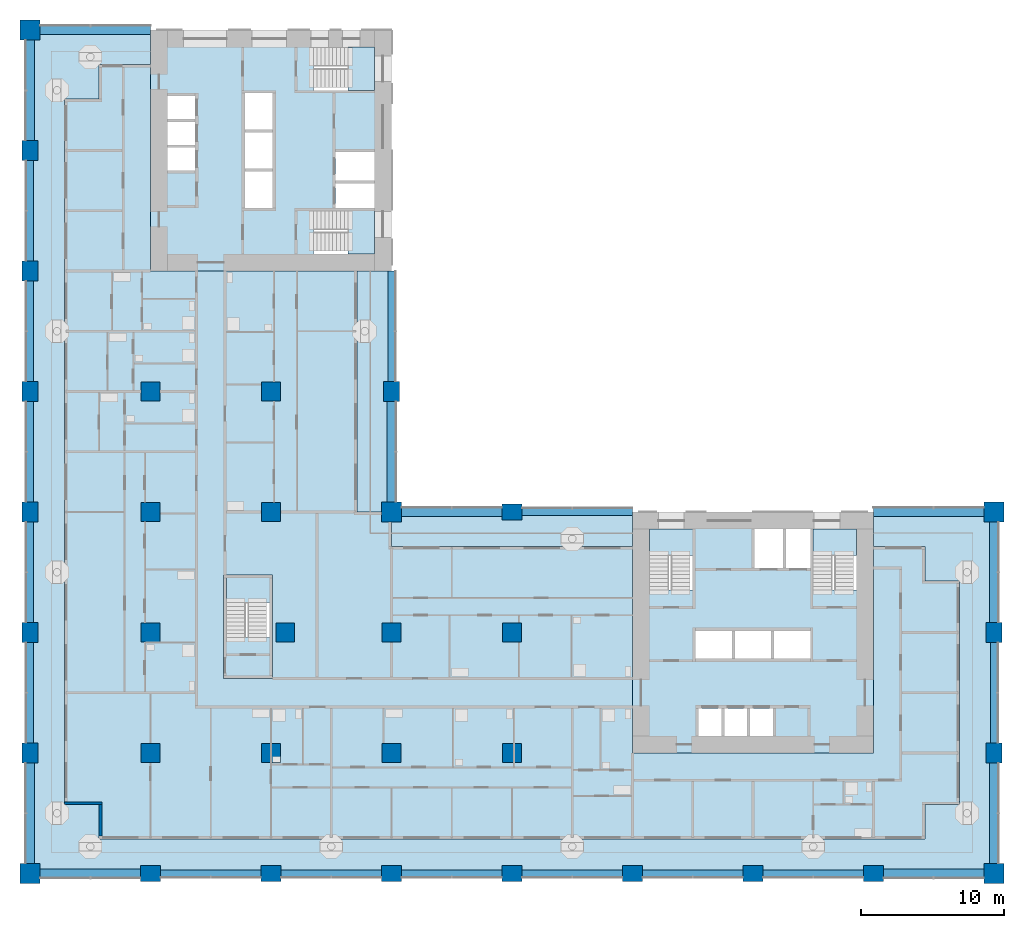
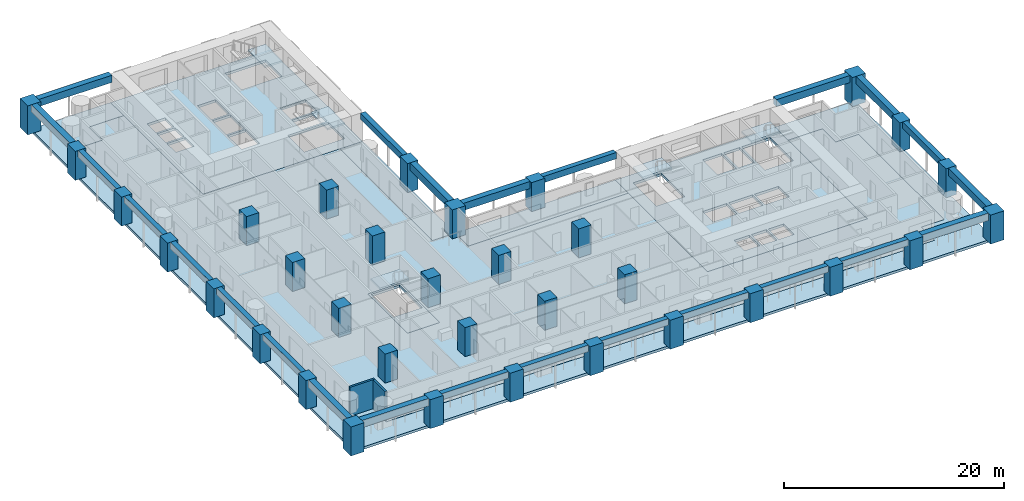
# One storey, part 1 of 19: 34 columns, 24 beams, 12 slabs, 2 walls, 5 elements without a shape of their own.
"""IFC4 building model written with IfcOpenShell, lengths in metres."""

import ifcopenshell
import ifcopenshell.guid

model = None  # the IFC model being written
_history = None  # IfcOwnerHistory: only IFC2X3 demands one
_inside = {}  # id of a spatial element -> (the spatial element, [elements in it])
_under = {}  # id of a project, library or spatial element -> (it, [spatial elements below it])
_declared = {}  # id of a project -> (the project, [libraries it declares])
_typed = {}  # id of a type object -> (the type object, [elements of that type])
_made_of = {}  # id of a material, layer set ... -> (it, [elements and type objects made of it])


def new_model(schema):
    """Start an empty IFC model of exactly this schema.

    Asked for "IFC4X3", IfcOpenShell would pick the latest addendum, in which some entities
    have other attributes; the version numbers below select the first issue.
    IFC2X3 requires an IfcOwnerHistory on every rooted entity: one is made here for all.
    """
    global model, _history
    if schema == "IFC4X3":
        model = ifcopenshell.file(schema_version=(4, 3, 0, 0))
    else:
        model = ifcopenshell.file(schema=schema)
    _inside.clear()
    _under.clear()
    _declared.clear()
    _typed.clear()
    _made_of.clear()
    _history = None
    if model.schema == "IFC2X3":
        org = make("IfcOrganization", Name="unknown")
        user = make(
            "IfcPersonAndOrganization",
            ThePerson=make("IfcPerson", FamilyName="unknown"),
            TheOrganization=org,
        )
        app = make(
            "IfcApplication",
            ApplicationDeveloper=org,
            Version="unknown",
            ApplicationFullName="unknown",
            ApplicationIdentifier="unknown",
        )
        _history = make(
            "IfcOwnerHistory",
            OwningUser=user,
            OwningApplication=app,
            ChangeAction="ADDED",
            CreationDate=0,
        )
    return model


def make(cls, **values):
    """One entity of the class cls with the attributes given. An attribute that is None is left unset."""
    return model.create_entity(
        cls, **{name: value for name, value in values.items() if value is not None}
    )


def rooted(cls, **values):
    """An entity with a GlobalId (a new one), such as an element, a storey or a relation."""
    return make(cls, GlobalId=ifcopenshell.guid.new(), OwnerHistory=_history, **values)


def si_unit(unit_type, name, prefix=None):
    """IfcSIUnit, for example si_unit("LENGTHUNIT", "METRE", prefix="MILLI")."""
    return make("IfcSIUnit", UnitType=unit_type, Prefix=prefix, Name=name)


def assignment(units):
    """IfcUnitAssignment: the units of a project."""
    return None if units is None else make("IfcUnitAssignment", Units=units)


def point(xyz):
    """IfcCartesianPoint."""
    return None if xyz is None else make("IfcCartesianPoint", Coordinates=xyz)


def direction(xyz):
    """IfcDirection."""
    return None if xyz is None else make("IfcDirection", DirectionRatios=xyz)


def frame(location, z_axis=None, x_axis=None):
    """IfcAxis2Placement3D, a coordinate frame: its origin and axes. An axis left out is left unset."""
    return make(
        "IfcAxis2Placement3D",
        Location=point(location),
        Axis=direction(z_axis),
        RefDirection=direction(x_axis),
    )


def frame_2d(location, x_axis=None):
    """IfcAxis2Placement2D, a coordinate frame in the plane: its origin and x axis."""
    return make(
        "IfcAxis2Placement2D", Location=point(location), RefDirection=direction(x_axis)
    )


def origin():
    """The frame at (0, 0, 0) with its axes left unset."""
    return frame((0.0, 0.0, 0.0))


def origin_2d():
    """The frame at (0, 0) in the plane with its x axis left unset."""
    return frame_2d((0.0, 0.0))


def place(relative_to, where):
    """IfcLocalPlacement: puts the frame where relative to a parent placement (None: the world)."""
    return make(
        "IfcLocalPlacement", PlacementRelTo=relative_to, RelativePlacement=where
    )


def context(
    kind, dimensions, precision=None, world=None, true_north=None, identifier=None
):
    """IfcGeometricRepresentationContext, for example the 3D "Model" context."""
    return make(
        "IfcGeometricRepresentationContext",
        ContextIdentifier=identifier,
        ContextType=kind,
        CoordinateSpaceDimension=dimensions,
        Precision=precision,
        WorldCoordinateSystem=world,
        TrueNorth=true_north,
    )


def subcontext(parent, identifier, kind, view, scale=None):
    """IfcGeometricRepresentationSubContext, for example "Body" below "Model"."""
    return make(
        "IfcGeometricRepresentationSubContext",
        ContextIdentifier=identifier,
        ContextType=kind,
        ParentContext=parent,
        TargetScale=scale,
        TargetView=view,
    )


def project(units=None, contexts=None):
    """IfcProject with its units and contexts."""
    return rooted(
        "IfcProject",
        Name="project",
        RepresentationContexts=contexts,
        UnitsInContext=assignment(units),
    )


def spatial(cls, under=None, at=None, **own):
    """A site, building, storey or space (cls), placed at a placement, below another one or the project."""
    s = rooted(cls, ObjectPlacement=at, **own)
    if under is not None:
        _under.setdefault(under.id(), (under, []))[1].append(s)
    return s


def polyline(points):
    """IfcPolyline through the points."""
    return make("IfcPolyline", Points=[point(p) for p in points])


def profile(cls, at=None, kind="AREA", **sizes):
    """A parametric profile (cls). Its sizes go by their IFC names, for example OverallWidth=200.0."""
    return make(cls, ProfileType=kind, Position=at, **sizes)


def rectangle(**sizes):
    """IfcRectangleProfileDef."""
    return profile("IfcRectangleProfileDef", **sizes)


def outline(outer, holes=None, kind="AREA"):
    """IfcArbitraryClosedProfileDef: a profile drawn as a closed curve; with holes, ...WithVoids."""
    if holes is None:
        return make("IfcArbitraryClosedProfileDef", ProfileType=kind, OuterCurve=outer)
    return make(
        "IfcArbitraryProfileDefWithVoids",
        ProfileType=kind,
        OuterCurve=outer,
        InnerCurves=holes,
    )


def extrude(swept, where, along, depth):
    """IfcExtrudedAreaSolid: the profile swept, set in the frame where, extruded along a direction by depth."""
    return make(
        "IfcExtrudedAreaSolid",
        SweptArea=swept,
        Position=where,
        ExtrudedDirection=direction(along),
        Depth=depth,
    )


def shape(context_of_items, identifier, shape_type, items):
    """IfcShapeRepresentation: the items that make up one representation, for example the "Body"."""
    return make(
        "IfcShapeRepresentation",
        ContextOfItems=context_of_items,
        RepresentationIdentifier=identifier,
        RepresentationType=shape_type,
        Items=items,
    )


def material(Name=None, Category=None):
    """IfcMaterial."""
    return make("IfcMaterial", Name=Name, Category=Category)


def layer(
    of_material, thickness, ventilated=None, Name=None, Category=None, Priority=None
):
    """IfcMaterialLayer: one layer of a wall or slab, of a material (None: an air gap)."""
    return make(
        "IfcMaterialLayer",
        Material=of_material,
        LayerThickness=thickness,
        IsVentilated=ventilated,
        Name=Name,
        Category=Category,
        Priority=Priority,
    )


def layer_set(layers, Name=None):
    """IfcMaterialLayerSet."""
    return make("IfcMaterialLayerSet", MaterialLayers=layers, LayerSetName=Name)


def material_profile(
    of_material, cross_section, Name=None, Category=None, Priority=None
):
    """IfcMaterialProfile: a cross section and its material."""
    return make(
        "IfcMaterialProfile",
        Name=Name,
        Material=of_material,
        Profile=cross_section,
        Priority=Priority,
        Category=Category,
    )


def profile_set(profiles, Name=None, composite=None):
    """IfcMaterialProfileSet."""
    return make(
        "IfcMaterialProfileSet",
        Name=Name,
        MaterialProfiles=profiles,
        CompositeProfile=composite,
    )


def made_of(thing, what):
    """Note that an element or type object is made of a material, layer set ...; save() writes the relation."""
    if what is not None:
        _made_of.setdefault(what.id(), (what, []))[1].append(thing)
    return thing


def type_object(cls, material=None, **own):
    """A type object (cls), such as IfcWallType, which elements share."""
    return made_of(rooted(cls, **own), material)


def element(
    cls,
    number,
    at=None,
    inside=None,
    cuts=None,
    type_object=None,
    material=None,
    context=None,
    identifier="Body",
    shape_type=None,
    held_by="IfcProductDefinitionShape",
    body=None,
    shapes=None,
    **own,
):
    """One element of the class cls, such as IfcWall. Its Tag is "e" and its number.

    at: its placement. inside: the storey or other place that contains it. cuts: it is an
    opening in that element (IfcRelVoidsElement). A single representation is given by context,
    identifier, shape_type and body (its items); several are given by shapes. held_by: the class
    of the entity that holds the representations. save() writes the other relations.
    """
    e = rooted(cls, Tag="e%d" % number, ObjectPlacement=at, **own)
    if body is not None:
        shapes = [shape(context, identifier, shape_type, body)]
    if shapes is not None:
        e.Representation = make(held_by, Representations=shapes)
    if inside is not None:
        _inside.setdefault(inside.id(), (inside, []))[1].append(e)
    if cuts is not None:
        rooted(
            "IfcRelVoidsElement", RelatingBuildingElement=cuts, RelatedOpeningElement=e
        )
    if type_object is not None:
        _typed.setdefault(type_object.id(), (type_object, []))[1].append(e)
    return made_of(e, material)


def aggregate(whole, parts):
    """IfcRelAggregates: a whole, such as a stair, and the parts it consists of."""
    return rooted("IfcRelAggregates", RelatingObject=whole, RelatedObjects=parts)


def save(model, path):
    """Write the relations noted so far, then the file.

    IfcRelAggregates (storeys below a building ...), IfcRelContainedInSpatialStructure (elements
    in a storey), IfcRelDefinesByType, IfcRelAssociatesMaterial and IfcRelDeclares: one each for
    every whole, place, type object, material and project.
    """
    for whole, parts in _under.values():
        aggregate(whole, parts)
    for where, things in _inside.values():
        rooted(
            "IfcRelContainedInSpatialStructure",
            RelatedElements=things,
            RelatingStructure=where,
        )
    for kind, things in _typed.values():
        rooted("IfcRelDefinesByType", RelatedObjects=things, RelatingType=kind)
    for what, things in _made_of.values():
        rooted("IfcRelAssociatesMaterial", RelatedObjects=things, RelatingMaterial=what)
    for by, libraries in _declared.values():
        rooted("IfcRelDeclares", RelatingContext=by, RelatedDefinitions=libraries)
    model.write(path)


model = new_model("IFC4")

# Units and contexts
model_context = context("Model", 3, precision=1e-05, world=origin(), true_north=direction((0.0, 1.0)))
body_context = subcontext(model_context, "Body", "Model", "MODEL_VIEW")
ifc_project = project(units=[si_unit("LENGTHUNIT", "METRE"), si_unit("AREAUNIT", "SQUARE_METRE"), si_unit("VOLUMEUNIT", "CUBIC_METRE"), si_unit("PLANEANGLEUNIT", "RADIAN"), si_unit("MASSUNIT", "GRAM", prefix="KILO")], contexts=[model_context])

# Site, building, storey
site_placement = place(None, origin())
site = spatial("IfcSite", under=ifc_project, at=site_placement, CompositionType="ELEMENT")
building_placement = place(site_placement, origin())
building = spatial("IfcBuilding", under=site, at=building_placement, Name="Vermilion Gate Residences", CompositionType="ELEMENT")
storey_placement = place(building_placement, frame((0.0, 0.0, 28.699951171875)))
storey = spatial("IfcBuildingStorey", under=building, at=storey_placement, Name="L05", CompositionType="ELEMENT", Elevation=28.699951171875)

# Columns
ifc_material_1 = material(Name="Concrete C80", Category="concrete")
ifc_material_profile_1 = material_profile(ifc_material_1, rectangle(XDim=1.300048828125, YDim=1.300048828125, at=origin_2d()), Name="RC-1300x1300")
ifc_profile_set_1 = profile_set([ifc_material_profile_1], Name="Concrete C80")
column_type_1 = type_object("IfcColumnType", Name="RC COLUMN 1300 X 1300 C80", PredefinedType="COLUMN", material=ifc_profile_set_1)
for number, where, z_axis, x_axis, name in (
    (1, (8.39990234375, 8.39990234375, 0.0), (0.0, 0.0, 1.0), (1.0, 0.0, 0.0), "Column 2-B L05"),
    (2, (8.39990234375, 16.800048828125, 0.0), (0.0, 0.0, 1.0), (1.0, 0.0, 0.0), "Column 2-C L05"),
    (3, (8.39990234375, 25.199951171875, 0.0), (0.0, 0.0, 1.0), (1.0, 0.0, 0.0), "Column 2-D L05"),
    (4, (8.39990234375, 33.60009765625, 0.0), (0.0, 0.0, 1.0), (1.0, 0.0, 0.0), "Column 2-E L05"),
    (5, (16.800048828125, 8.39990234375, 0.0), (0.0, 0.0, 1.0), (1.0, 0.0, 0.0), "Column 3-B L05"),
    (6, (17.800048828125, 16.800048828125, 0.0), (0.0, 0.0, 1.0), (1.0, 0.0, 0.0), "Column 3-C L05"),
    (7, (16.800048828125, 25.199951171875, 0.0), (0.0, 0.0, 1.0), (1.0, 0.0, 0.0), "Column 3-D L05"),
    (8, (16.800048828125, 33.60009765625, 0.0), (0.0, 0.0, 1.0), (1.0, 0.0, 0.0), "Column 3-E L05"),
    (9, (25.199951171875, 8.39990234375, 0.0), (0.0, 0.0, 1.0), (1.0, 0.0, 0.0), "Column 4-B L05"),
    (10, (25.199951171875, 16.800048828125, 0.0), (0.0, 0.0, 1.0), (1.0, 0.0, 0.0), "Column 4-C L05"),
    (11, (33.60009765625, 8.39990234375, 0.0), (0.0, 0.0, 1.0), (1.0, 0.0, 0.0), "Column 5-B L05"),
    (12, (33.60009765625, 16.800048828125, 0.0), (0.0, 0.0, 1.0), (1.0, 0.0, 0.0), "Column 5-C L05"),
):
    element("IfcColumn", number, at=place(storey_placement, frame(where, z_axis=z_axis, x_axis=x_axis)), inside=storey, type_object=column_type_1, Name=name, PredefinedType="COLUMN", context=body_context, shape_type="SweptSolid", body=[
        extrude(rectangle(XDim=1.300048828125, YDim=1.300048828125, at=origin_2d()), origin(), (0.0, 0.0, 1.0), 3.219970703125),
    ])
ifc_material_2 = material(Name="Concrete C80", Category="concrete")
ifc_material_profile_2 = material_profile(ifc_material_2, rectangle(XDim=1.39990234375, YDim=1.10009765625, at=origin_2d()), Name="RC-1400x1100")
ifc_profile_set_2 = profile_set([ifc_material_profile_2], Name="Concrete C80")
column_type_2 = type_object("IfcColumnType", Name="RC COLUMN 1400 X 1100 C80", PredefinedType="COLUMN", material=ifc_profile_set_2)
for number, where, z_axis, x_axis, name in (
    (13, (0.0, 8.39990234375, 0.0), (0.0, 0.0, 1.0), (0.0, 1.0, 0.0), "Column 1-B L05"),
    (14, (0.0, 16.800048828125, 0.0), (0.0, 0.0, 1.0), (0.0, 1.0, 0.0), "Column 1-C L05"),
    (15, (0.0, 25.199951171875, 0.0), (0.0, 0.0, 1.0), (0.0, 1.0, 0.0), "Column 1-D L05"),
    (16, (0.0, 33.60009765625, 0.0), (0.0, 0.0, 1.0), (0.0, 1.0, 0.0), "Column 1-E L05"),
    (17, (0.0, 42.0, 0.0), (0.0, 0.0, 1.0), (0.0, 1.0, 0.0), "Column 1-F L05"),
    (18, (0.0, 50.39990234375, 0.0), (0.0, 0.0, 1.0), (0.0, 1.0, 0.0), "Column 1-G L05"),
    (19, (8.39990234375, 0.0, 0.0), (0.0, 0.0, 1.0), (1.0, 0.0, 0.0), "Column 2-A L05"),
    (20, (16.800048828125, 0.0, 0.0), (0.0, 0.0, 1.0), (1.0, 0.0, 0.0), "Column 3-A L05"),
    (21, (25.199951171875, 0.0, 0.0), (0.0, 0.0, 1.0), (1.0, 0.0, 0.0), "Column 4-A L05"),
    (22, (25.199951171875, 33.60009765625, 0.0), (0.0, 0.0, 1.0), (0.0, 1.0, 0.0), "Column 4-E L05"),
    (23, (33.60009765625, 0.0, 0.0), (0.0, 0.0, 1.0), (1.0, 0.0, 0.0), "Column 5-A L05"),
    (24, (33.60009765625, 25.199951171875, 0.0), (0.0, 0.0, 1.0), (1.0, 0.0, 0.0), "Column 5-D L05"),
    (25, (42.0, 0.0, 0.0), (0.0, 0.0, 1.0), (1.0, 0.0, 0.0), "Column 6-A L05"),
    (26, (50.39990234375, 0.0, 0.0), (0.0, 0.0, 1.0), (1.0, 0.0, 0.0), "Column 7-A L05"),
    (27, (58.800048828125, 0.0, 0.0), (0.0, 0.0, 1.0), (1.0, 0.0, 0.0), "Column 8-A L05"),
    (28, (67.199951171875, 8.39990234375, 0.0), (0.0, 0.0, 1.0), (0.0, 1.0, 0.0), "Column 9-B L05"),
    (29, (67.199951171875, 16.800048828125, 0.0), (0.0, 0.0, 1.0), (0.0, 1.0, 0.0), "Column 9-C L05"),
):
    element("IfcColumn", number, at=place(storey_placement, frame(where, z_axis=z_axis, x_axis=x_axis)), inside=storey, type_object=column_type_2, Name=name, PredefinedType="COLUMN", context=body_context, shape_type="SweptSolid", body=[
        extrude(rectangle(XDim=1.39990234375, YDim=1.10009765625, at=origin_2d()), origin(), (0.0, 0.0, 1.0), 3.219970703125),
    ])
ifc_material_3 = material(Name="Concrete C80", Category="concrete")
ifc_material_profile_3 = material_profile(ifc_material_3, rectangle(XDim=1.39990234375, YDim=1.39990234375, at=origin_2d()), Name="RC-1400x1400")
ifc_profile_set_3 = profile_set([ifc_material_profile_3], Name="Concrete C80")
column_type_3 = type_object("IfcColumnType", Name="RC COLUMN 1400 X 1400 C80", PredefinedType="COLUMN", material=ifc_profile_set_3)
for number, where, z_axis, x_axis, name in (
    (30, (0.0, 0.0, 0.0), (0.0, 0.0, 1.0), (1.0, 0.0, 0.0), "Column 1-A L05"),
    (31, (0.0, 58.800048828125, 0.0), (0.0, 0.0, 1.0), (1.0, 0.0, 0.0), "Column 1-H L05"),
    (32, (25.199951171875, 25.199951171875, 0.0), (0.0, 0.0, 1.0), (1.0, 0.0, 0.0), "Column 4-D L05"),
    (33, (67.199951171875, 0.0, 0.0), (0.0, 0.0, 1.0), (1.0, 0.0, 0.0), "Column 9-A L05"),
    (34, (67.199951171875, 25.199951171875, 0.0), (0.0, 0.0, 1.0), (1.0, 0.0, 0.0), "Column 9-D L05"),
):
    element("IfcColumn", number, at=place(storey_placement, frame(where, z_axis=z_axis, x_axis=x_axis)), inside=storey, type_object=column_type_3, Name=name, PredefinedType="COLUMN", context=body_context, shape_type="SweptSolid", body=[
        extrude(rectangle(XDim=1.39990234375, YDim=1.39990234375, at=origin_2d()), origin(), (0.0, 0.0, 1.0), 3.219970703125),
    ])

# Beams
ifc_material_4 = material(Name="Concrete C60 red-oxide pigmented", Category="concrete")
ifc_material_profile_4 = material_profile(ifc_material_4, rectangle(XDim=0.60009765625, YDim=0.800048828125, at=origin_2d()), Name="RC-600x800")
ifc_profile_set_4 = profile_set([ifc_material_profile_4], Name="Concrete C60 red-oxide pigmented")
beam_type_1 = type_object("IfcBeamType", Name="RC CORNER EDGE BEAM 600 X 800 C60", PredefinedType="BEAM", material=ifc_profile_set_4)
for number, where, z_axis, x_axis, name in (
    (35, (0.699951171875, 0.0, 2.820068359375), (1.0, 0.0, 0.0), (0.0, 1.0, 0.0), "Corner edge beam L05 1"),
    (36, (0.0, 0.699951171875, 2.820068359375), (0.0, 1.0, 0.0), (-1.0, 0.0, 0.0), "Corner edge beam L05 2"),
):
    element("IfcBeam", number, at=place(storey_placement, frame(where, z_axis=z_axis, x_axis=x_axis)), inside=storey, type_object=beam_type_1, Name=name, PredefinedType="BEAM", context=body_context, shape_type="SweptSolid", body=[
        extrude(rectangle(XDim=0.60009765625, YDim=0.800048828125, at=origin_2d()), origin(), (0.0, 0.0, 1.0), 7.0),
    ])
beam_1_placement = place(storey_placement, frame((0.699951171875, 58.800048828125, 2.820068359375), z_axis=(1.0, 0.0, 0.0), x_axis=(0.0, 1.0, 0.0)))
element("IfcBeam", 37, at=beam_1_placement, inside=storey, type_object=beam_type_1, Name="Corner edge beam L05 8", PredefinedType="BEAM", context=body_context, shape_type="SweptSolid", body=[
    extrude(rectangle(XDim=0.60009765625, YDim=0.800048828125, at=origin_2d()), origin(), (0.0, 0.0, 1.0), 7.699951171875),
])
for number, where, z_axis, x_axis, name in (
    (38, (0.0, 51.10009765625, 2.820068359375), (0.0, 1.0, 0.0), (-1.0, 0.0, 0.0), "Corner edge beam L05 9"),
    (39, (25.199951171875, 25.89990234375, 2.820068359375), (0.0, 1.0, 0.0), (-1.0, 0.0, 0.0), "Corner edge beam L05 12"),
    (40, (25.89990234375, 25.199951171875, 2.820068359375), (1.0, 0.0, 0.0), (0.0, 1.0, 0.0), "Corner edge beam L05 15"),
    (41, (59.5, 0.0, 2.820068359375), (1.0, 0.0, 0.0), (0.0, 1.0, 0.0), "Corner edge beam L05 20"),
    (42, (67.199951171875, 0.699951171875, 2.820068359375), (0.0, 1.0, 0.0), (-1.0, 0.0, 0.0), "Corner edge beam L05 21"),
    (43, (67.199951171875, 17.5, 2.820068359375), (0.0, 1.0, 0.0), (-1.0, 0.0, 0.0), "Corner edge beam L05 23"),
):
    element("IfcBeam", number, at=place(storey_placement, frame(where, z_axis=z_axis, x_axis=x_axis)), inside=storey, type_object=beam_type_1, Name=name, PredefinedType="BEAM", context=body_context, shape_type="SweptSolid", body=[
        extrude(rectangle(XDim=0.60009765625, YDim=0.800048828125, at=origin_2d()), origin(), (0.0, 0.0, 1.0), 7.0),
    ])
beam_2_placement = place(storey_placement, frame((58.800048828125, 25.199951171875, 2.820068359375), z_axis=(1.0, 0.0, 0.0), x_axis=(0.0, 1.0, 0.0)))
element("IfcBeam", 44, at=beam_2_placement, inside=storey, type_object=beam_type_1, Name="Corner edge beam L05 24", PredefinedType="BEAM", context=body_context, shape_type="SweptSolid", body=[
    extrude(rectangle(XDim=0.60009765625, YDim=0.800048828125, at=origin_2d()), origin(), (0.0, 0.0, 1.0), 7.699951171875),
])
ifc_material_5 = material(Name="Concrete C60 red-oxide pigmented", Category="concrete")
ifc_material_profile_5 = material_profile(ifc_material_5, rectangle(XDim=0.5, YDim=0.699951171875, at=origin_2d()), Name="RC-500x700")
ifc_profile_set_5 = profile_set([ifc_material_profile_5], Name="Concrete C60 red-oxide pigmented")
beam_type_2 = type_object("IfcBeamType", Name="RC EDGE BEAM 500 X 700 C60", PredefinedType="BEAM", material=ifc_profile_set_5)
for number, where, z_axis, x_axis, name in (
    (45, (0.0, 9.10009765625, 2.8701171875), (0.0, 1.0, 0.0), (-1.0, 0.0, 0.0), "Edge beam L05 3"),
    (46, (0.0, 17.5, 2.8701171875), (0.0, 1.0, 0.0), (-1.0, 0.0, 0.0), "Edge beam L05 4"),
    (47, (0.0, 25.89990234375, 2.8701171875), (0.0, 1.0, 0.0), (-1.0, 0.0, 0.0), "Edge beam L05 5"),
    (48, (0.0, 34.300048828125, 2.8701171875), (0.0, 1.0, 0.0), (-1.0, 0.0, 0.0), "Edge beam L05 6"),
    (49, (0.0, 42.699951171875, 2.8701171875), (0.0, 1.0, 0.0), (-1.0, 0.0, 0.0), "Edge beam L05 7"),
    (50, (9.10009765625, 0.0, 2.8701171875), (1.0, 0.0, 0.0), (0.0, 1.0, 0.0), "Edge beam L05 10"),
    (51, (17.5, 0.0, 2.8701171875), (1.0, 0.0, 0.0), (0.0, 1.0, 0.0), "Edge beam L05 11"),
):
    element("IfcBeam", number, at=place(storey_placement, frame(where, z_axis=z_axis, x_axis=x_axis)), inside=storey, type_object=beam_type_2, Name=name, PredefinedType="BEAM", context=body_context, shape_type="SweptSolid", body=[
        extrude(rectangle(XDim=0.5, YDim=0.699951171875, at=origin_2d()), origin(), (0.0, 0.0, 1.0), 7.0),
    ])
beam_3_placement = place(storey_placement, frame((25.199951171875, 34.300048828125, 2.8701171875), z_axis=(0.0, 1.0, 0.0), x_axis=(-1.0, 0.0, 0.0)))
element("IfcBeam", 52, at=beam_3_placement, inside=storey, type_object=beam_type_2, Name="Edge beam L05 13", PredefinedType="BEAM", context=body_context, shape_type="SweptSolid", body=[
    extrude(rectangle(XDim=0.5, YDim=0.699951171875, at=origin_2d()), origin(), (0.0, 0.0, 1.0), 7.699951171875),
])
for number, where, z_axis, x_axis, name in (
    (53, (25.89990234375, 0.0, 2.8701171875), (1.0, 0.0, 0.0), (0.0, 1.0, 0.0), "Edge beam L05 14"),
    (54, (34.300048828125, 0.0, 2.8701171875), (1.0, 0.0, 0.0), (0.0, 1.0, 0.0), "Edge beam L05 16"),
):
    element("IfcBeam", number, at=place(storey_placement, frame(where, z_axis=z_axis, x_axis=x_axis)), inside=storey, type_object=beam_type_2, Name=name, PredefinedType="BEAM", context=body_context, shape_type="SweptSolid", body=[
        extrude(rectangle(XDim=0.5, YDim=0.699951171875, at=origin_2d()), origin(), (0.0, 0.0, 1.0), 7.0),
    ])
beam_4_placement = place(storey_placement, frame((34.300048828125, 25.199951171875, 2.8701171875), z_axis=(1.0, 0.0, 0.0), x_axis=(0.0, 1.0, 0.0)))
element("IfcBeam", 55, at=beam_4_placement, inside=storey, type_object=beam_type_2, Name="Edge beam L05 17", PredefinedType="BEAM", context=body_context, shape_type="SweptSolid", body=[
    extrude(rectangle(XDim=0.5, YDim=0.699951171875, at=origin_2d()), origin(), (0.0, 0.0, 1.0), 7.699951171875),
])
for number, where, z_axis, x_axis, name in (
    (56, (42.699951171875, 0.0, 2.8701171875), (1.0, 0.0, 0.0), (0.0, 1.0, 0.0), "Edge beam L05 18"),
    (57, (51.10009765625, 0.0, 2.8701171875), (1.0, 0.0, 0.0), (0.0, 1.0, 0.0), "Edge beam L05 19"),
    (58, (67.199951171875, 9.10009765625, 2.8701171875), (0.0, 1.0, 0.0), (-1.0, 0.0, 0.0), "Edge beam L05 22"),
):
    element("IfcBeam", number, at=place(storey_placement, frame(where, z_axis=z_axis, x_axis=x_axis)), inside=storey, type_object=beam_type_2, Name=name, PredefinedType="BEAM", context=body_context, shape_type="SweptSolid", body=[
        extrude(rectangle(XDim=0.5, YDim=0.699951171875, at=origin_2d()), origin(), (0.0, 0.0, 1.0), 7.0),
    ])

# Slabs
ifc_material_6 = material(Name="Concrete C50", Category="concrete")
ifc_layer_1 = layer(ifc_material_6, 0.280029296875)
ifc_layer_set_1 = layer_set([ifc_layer_1], Name="RC CORE FLOOR SLAB 280 C50")
slab_type_1 = type_object("IfcSlabType", Name="RC CORE FLOOR SLAB 280 C50", PredefinedType="FLOOR", material=ifc_layer_set_1)
slab_1_placement = place(storey_placement, frame((0.0, 0.0, -0.280029296875)))
element("IfcSlab", 59, at=slab_1_placement, inside=storey, type_object=slab_type_1, Name="Core floor slab A05", PredefinedType="FLOOR", context=body_context, shape_type="SweptSolid", body=[
    extrude(outline(polyline([(42.0, 8.39990234375), (58.800048828125, 8.39990234375), (58.800048828125, 25.199951171875), (42.0, 25.199951171875), (42.0, 8.39990234375)]), holes=[polyline([(46.60009765625, 11.5), (48.199951171875, 11.5), (48.199951171875, 9.60009765625), (46.60009765625, 9.60009765625), (46.60009765625, 11.5)]), polyline([(48.39990234375, 11.5), (50.0, 11.5), (50.0, 9.60009765625), (48.39990234375, 9.60009765625), (48.39990234375, 11.5)]), polyline([(50.199951171875, 11.5), (51.800048828125, 11.5), (51.800048828125, 9.60009765625), (50.199951171875, 9.60009765625), (50.199951171875, 11.5)]), polyline([(48.933349609375, 16.89990234375), (48.933349609375, 15.0), (46.39990234375, 15.0), (46.39990234375, 16.89990234375), (48.933349609375, 16.89990234375)]), polyline([(51.666748046875, 16.89990234375), (51.666748046875, 15.0), (49.13330078125, 15.0), (49.13330078125, 16.89990234375), (51.666748046875, 16.89990234375)]), polyline([(51.86669921875, 16.89990234375), (54.39990234375, 16.89990234375), (54.39990234375, 15.0), (51.86669921875, 15.0), (51.86669921875, 16.89990234375)]), polyline([(43.199951171875, 24.0), (46.199951171875, 24.0), (46.199951171875, 19.75), (43.199951171875, 19.75), (43.199951171875, 24.0)]), polyline([(54.60009765625, 24.0), (57.60009765625, 24.0), (57.60009765625, 19.75), (54.60009765625, 19.75), (54.60009765625, 24.0)]), polyline([(52.5, 24.0), (52.5, 21.300048828125), (50.5, 21.300048828125), (50.5, 24.0), (52.5, 24.0)]), polyline([(54.39990234375, 24.0), (54.39990234375, 21.300048828125), (52.699951171875, 21.300048828125), (52.699951171875, 24.0), (54.39990234375, 24.0)])]), origin(), (0.0, 0.0, 1.0), 0.280029296875),
])
slab_2_placement = place(storey_placement, frame((0.0, 0.0, -0.280029296875)))
element("IfcSlab", 60, at=slab_2_placement, inside=storey, type_object=slab_type_1, Name="Core floor slab B05", PredefinedType="FLOOR", context=body_context, shape_type="SweptSolid", body=[
    extrude(outline(polyline([(8.39990234375, 42.0), (25.199951171875, 42.0), (25.199951171875, 58.800048828125), (8.39990234375, 58.800048828125), (8.39990234375, 42.0)]), holes=[polyline([(19.75, 46.199951171875), (24.0, 46.199951171875), (24.0, 43.199951171875), (19.75, 43.199951171875), (19.75, 46.199951171875)]), polyline([(21.300048828125, 48.10009765625), (24.0, 48.10009765625), (24.0, 46.39990234375), (21.300048828125, 46.39990234375), (21.300048828125, 48.10009765625)]), polyline([(15.0, 48.933349609375), (16.89990234375, 48.933349609375), (16.89990234375, 46.39990234375), (15.0, 46.39990234375), (15.0, 48.933349609375)]), polyline([(24.0, 50.300048828125), (24.0, 48.300048828125), (21.300048828125, 48.300048828125), (21.300048828125, 50.300048828125), (24.0, 50.300048828125)]), polyline([(11.5, 50.60009765625), (11.5, 49.0), (9.60009765625, 49.0), (9.60009765625, 50.60009765625), (11.5, 50.60009765625)]), polyline([(15.0, 51.666748046875), (16.89990234375, 51.666748046875), (16.89990234375, 49.13330078125), (15.0, 49.13330078125), (15.0, 51.666748046875)]), polyline([(9.60009765625, 52.39990234375), (11.5, 52.39990234375), (11.5, 50.800048828125), (9.60009765625, 50.800048828125), (9.60009765625, 52.39990234375)]), polyline([(15.0, 54.39990234375), (16.89990234375, 54.39990234375), (16.89990234375, 51.86669921875), (15.0, 51.86669921875), (15.0, 54.39990234375)]), polyline([(11.5, 54.199951171875), (11.5, 52.60009765625), (9.60009765625, 52.60009765625), (9.60009765625, 54.199951171875), (11.5, 54.199951171875)]), polyline([(24.0, 57.60009765625), (24.0, 54.60009765625), (19.75, 54.60009765625), (19.75, 57.60009765625), (24.0, 57.60009765625)])]), origin(), (0.0, 0.0, 1.0), 0.280029296875),
])
slab_3_placement = place(storey_placement, frame((0.0, 0.0, -0.280029296875)))
element("IfcSlab", 61, at=slab_3_placement, inside=storey, type_object=slab_type_1, Name="Apex stair floor slab 05", PredefinedType="FLOOR", context=body_context, shape_type="SweptSolid", body=[
    extrude(outline(polyline([(13.5, 13.60009765625), (16.89990234375, 13.60009765625), (16.89990234375, 20.800048828125), (13.5, 20.800048828125), (13.5, 13.60009765625)]), holes=[polyline([(16.699951171875, 20.60009765625), (16.699951171875, 16.449951171875), (13.699951171875, 16.449951171875), (13.699951171875, 20.60009765625), (16.699951171875, 20.60009765625)])]), origin(), (0.0, 0.0, 1.0), 0.280029296875),
])
ifc_material_7 = material(Name="Concrete C50", Category="concrete")
ifc_layer_2 = layer(ifc_material_7, 0.280029296875)
ifc_layer_set_2 = layer_set([ifc_layer_2], Name="RC FLAT PLATE 280 C50")
slab_type_2 = type_object("IfcSlabType", Name="RC FLAT PLATE 280 C50", PredefinedType="FLOOR", material=ifc_layer_set_2)
slab_4_placement = place(storey_placement, frame((0.0, 0.0, -0.280029296875)))
element("IfcSlab", 62, at=slab_4_placement, inside=storey, type_object=slab_type_2, Name="Floor slab L05", PredefinedType="FLOOR", context=body_context, shape_type="SweptSolid", body=[
    extrude(outline(polyline([(22.800048828125, 25.199951171875), (22.800048828125, 42.0), (8.39990234375, 42.0), (8.39990234375, 56.39990234375), (4.800048828125, 56.39990234375), (4.800048828125, 54.0), (2.39990234375, 54.0), (2.39990234375, 4.800048828125), (4.800048828125, 4.800048828125), (4.800048828125, 2.39990234375), (62.39990234375, 2.39990234375), (62.39990234375, 4.800048828125), (64.800048828125, 4.800048828125), (64.800048828125, 20.39990234375), (62.39990234375, 20.39990234375), (62.39990234375, 22.800048828125), (58.800048828125, 22.800048828125), (58.800048828125, 8.39990234375), (42.0, 8.39990234375), (42.0, 22.800048828125), (25.199951171875, 22.800048828125), (25.199951171875, 25.199951171875), (22.800048828125, 25.199951171875)]), holes=[polyline([(13.5, 13.60009765625), (13.5, 20.800048828125), (16.89990234375, 20.800048828125), (16.89990234375, 13.60009765625), (13.5, 13.60009765625)])]), origin(), (0.0, 0.0, 1.0), 0.280029296875),
])
ifc_material_8 = material(Name="Concrete C50 red-oxide pigmented", Category="concrete")
ifc_layer_3 = layer(ifc_material_8, 0.280029296875)
ifc_layer_set_3 = layer_set([ifc_layer_3], Name="RC LOGGIA SLAB 280 C50")
slab_type_3 = type_object("IfcSlabType", Name="RC LOGGIA SLAB 280 C50", PredefinedType="FLOOR", material=ifc_layer_set_3)
slab_5_placement = place(storey_placement, frame((0.0, 0.0, -0.280029296875)))
element("IfcSlab", 63, at=slab_5_placement, inside=storey, type_object=slab_type_3, Name="Loggia slab L05", PredefinedType="FLOOR", context=body_context, shape_type="SweptSolid", body=[
    extrude(outline(polyline([(0.0, 58.800048828125), (0.0, 0.0), (67.199951171875, 0.0), (67.199951171875, 25.199951171875), (58.800048828125, 25.199951171875), (58.800048828125, 22.800048828125), (62.39990234375, 22.800048828125), (62.39990234375, 20.39990234375), (64.800048828125, 20.39990234375), (64.800048828125, 4.800048828125), (62.39990234375, 4.800048828125), (62.39990234375, 2.39990234375), (4.800048828125, 2.39990234375), (4.800048828125, 4.800048828125), (2.39990234375, 4.800048828125), (2.39990234375, 54.0), (4.800048828125, 54.0), (4.800048828125, 56.39990234375), (8.39990234375, 56.39990234375), (8.39990234375, 58.800048828125), (0.0, 58.800048828125)])), origin(), (0.0, 0.0, 1.0), 0.280029296875),
])
slab_6_placement = place(storey_placement, frame((0.0, 0.0, -0.280029296875)))
element("IfcSlab", 64, at=slab_6_placement, inside=storey, type_object=slab_type_3, Name="Loggia slab L05", PredefinedType="FLOOR", context=body_context, shape_type="SweptSolid", body=[
    extrude(outline(polyline([(25.199951171875, 22.800048828125), (42.0, 22.800048828125), (42.0, 25.199951171875), (25.199951171875, 25.199951171875), (25.199951171875, 22.800048828125)])), origin(), (0.0, 0.0, 1.0), 0.280029296875),
])
slab_7_placement = place(storey_placement, frame((0.0, 0.0, -0.280029296875)))
element("IfcSlab", 65, at=slab_7_placement, inside=storey, type_object=slab_type_3, Name="Loggia slab L05", PredefinedType="FLOOR", context=body_context, shape_type="SweptSolid", body=[
    extrude(outline(polyline([(22.800048828125, 42.0), (22.800048828125, 25.199951171875), (25.199951171875, 25.199951171875), (25.199951171875, 42.0), (22.800048828125, 42.0)])), origin(), (0.0, 0.0, 1.0), 0.280029296875),
])

# Stair, slab
ifc_material_9 = material(Name="Concrete C50", Category="concrete")
stair_type = type_object("IfcStairType", Name="SPECIAL ESCAPE STAIR 1300", PredefinedType="HALF_TURN_STAIR", material=ifc_material_9)
stair_1_placement = place(storey_placement, origin())
stair_1 = element("IfcStair", 66, at=stair_1_placement, inside=storey, type_object=stair_type, Name="Special escape stair STA1-05", PredefinedType="HALF_TURN_STAIR")
ifc_material_10 = material(Name="Concrete C50", Category="concrete")
ifc_layer_4 = layer(ifc_material_10, 0.199951171875)
ifc_layer_set_4 = layer_set([ifc_layer_4], Name="STAIR LANDING 200 C50")
slab_type_4 = type_object("IfcSlabType", Name="STAIR LANDING 200 C50", PredefinedType="LANDING", material=ifc_layer_set_4)
slab_8_placement = place(storey_placement, frame((0.0, 0.0, 1.550048828125)))
slab_8 = element("IfcSlab", 67, at=slab_8_placement, type_object=slab_type_4, Name="STA1-05 landing 1", PredefinedType="LANDING", context=body_context, shape_type="SweptSolid", body=[
    extrude(outline(polyline([(46.219970703125, 22.179931640625), (46.219970703125, 24.02001953125), (43.179931640625, 24.02001953125), (43.179931640625, 22.179931640625), (46.219970703125, 22.179931640625)])), origin(), (0.0, 0.0, 1.0), 0.199951171875),
])
aggregate(stair_1, [slab_8])

stair_2_placement = place(storey_placement, origin())
stair_2 = element("IfcStair", 68, at=stair_2_placement, inside=storey, type_object=stair_type, Name="Special escape stair STA2-05", PredefinedType="HALF_TURN_STAIR")
slab_9_placement = place(storey_placement, frame((0.0, 0.0, 1.550048828125)))
slab_9 = element("IfcSlab", 69, at=slab_9_placement, type_object=slab_type_4, Name="STA2-05 landing 1", PredefinedType="LANDING", context=body_context, shape_type="SweptSolid", body=[
    extrude(outline(polyline([(57.6201171875, 22.179931640625), (57.6201171875, 24.02001953125), (54.580078125, 24.02001953125), (54.580078125, 22.179931640625), (57.6201171875, 22.179931640625)])), origin(), (0.0, 0.0, 1.0), 0.199951171875),
])
aggregate(stair_2, [slab_9])

stair_3_placement = place(storey_placement, origin())
stair_3 = element("IfcStair", 70, at=stair_3_placement, inside=storey, type_object=stair_type, Name="Special escape stair STB1-05", PredefinedType="HALF_TURN_STAIR")
slab_10_placement = place(storey_placement, frame((0.0, 0.0, 1.550048828125)))
slab_10 = element("IfcSlab", 71, at=slab_10_placement, type_object=slab_type_4, Name="STB1-05 landing 1", PredefinedType="LANDING", context=body_context, shape_type="SweptSolid", body=[
    extrude(outline(polyline([(24.02001953125, 54.580078125), (24.02001953125, 57.6201171875), (22.179931640625, 57.6201171875), (22.179931640625, 54.580078125), (24.02001953125, 54.580078125)])), origin(), (0.0, 0.0, 1.0), 0.199951171875),
])
aggregate(stair_3, [slab_10])

stair_4_placement = place(storey_placement, origin())
stair_4 = element("IfcStair", 72, at=stair_4_placement, inside=storey, type_object=stair_type, Name="Special escape stair STB2-05", PredefinedType="HALF_TURN_STAIR")
slab_11_placement = place(storey_placement, frame((0.0, 0.0, 1.550048828125)))
slab_11 = element("IfcSlab", 73, at=slab_11_placement, type_object=slab_type_4, Name="STB2-05 landing 1", PredefinedType="LANDING", context=body_context, shape_type="SweptSolid", body=[
    extrude(outline(polyline([(24.02001953125, 43.179931640625), (24.02001953125, 46.219970703125), (22.179931640625, 46.219970703125), (22.179931640625, 43.179931640625), (24.02001953125, 43.179931640625)])), origin(), (0.0, 0.0, 1.0), 0.199951171875),
])
aggregate(stair_4, [slab_11])

stair_5_placement = place(storey_placement, origin())
stair_5 = element("IfcStair", 74, at=stair_5_placement, inside=storey, type_object=stair_type, Name="Special escape stair STC1-05", PredefinedType="HALF_TURN_STAIR")
slab_12_placement = place(storey_placement, frame((0.0, 0.0, 1.550048828125)))
slab_12 = element("IfcSlab", 75, at=slab_12_placement, type_object=slab_type_4, Name="STC1-05 landing 1", PredefinedType="LANDING", context=body_context, shape_type="SweptSolid", body=[
    extrude(outline(polyline([(16.719970703125, 18.8798828125), (16.719970703125, 20.6201171875), (13.679931640625, 20.6201171875), (13.679931640625, 18.8798828125), (16.719970703125, 18.8798828125)])), origin(), (0.0, 0.0, 1.0), 0.199951171875),
])
aggregate(stair_5, [slab_12])

# Walls
ifc_material_11 = material(Name="Insulated steel stud wall with terracotta rainscreen", Category="masonry")
ifc_layer_5 = layer(ifc_material_11, 0.199951171875)
ifc_layer_set_5 = layer_set([ifc_layer_5], Name="EXTERNAL WALL 200 TERRACOTTA RAINSCREEN")
wall_type = type_object("IfcWallType", Name="EXTERNAL WALL 200 TERRACOTTA RAINSCREEN", PredefinedType="SOLIDWALL", material=ifc_layer_set_5)
wall_1_placement = place(storey_placement, frame((2.39990234375, 4.89990234375, 0.0), z_axis=(0.0, 0.0, 1.0), x_axis=(1.0, 0.0, 0.0)))
element("IfcWall", 76, at=wall_1_placement, inside=storey, type_object=wall_type, Name="External wall", PredefinedType="SOLIDWALL", context=body_context, shape_type="SweptSolid", body=[
    extrude(rectangle(XDim=2.60009765625, YDim=0.199951171875, at=frame_2d((1.300048828125, 0.0))), origin(), (0.0, 0.0, 1.0), 3.219970703125),
])
wall_2_placement = place(storey_placement, frame((4.89990234375, 4.800048828125, 0.0), z_axis=(0.0, 0.0, 1.0), x_axis=(0.0, -1.0, 0.0)))
element("IfcWall", 77, at=wall_2_placement, inside=storey, type_object=wall_type, Name="External wall", PredefinedType="SOLIDWALL", context=body_context, shape_type="SweptSolid", body=[
    extrude(rectangle(XDim=2.199951171875, YDim=0.199951171875, at=frame_2d((1.10009765625, 0.0))), origin(), (0.0, 0.0, 1.0), 3.219970703125),
])

save(model, "model.ifc")
